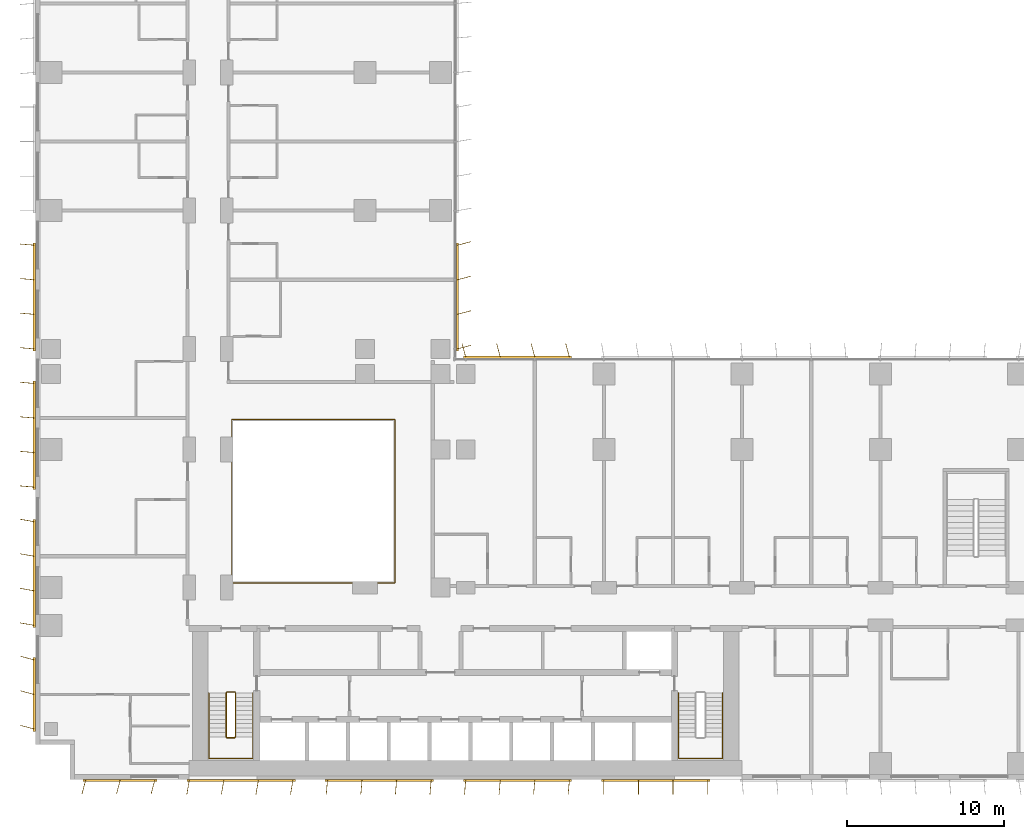
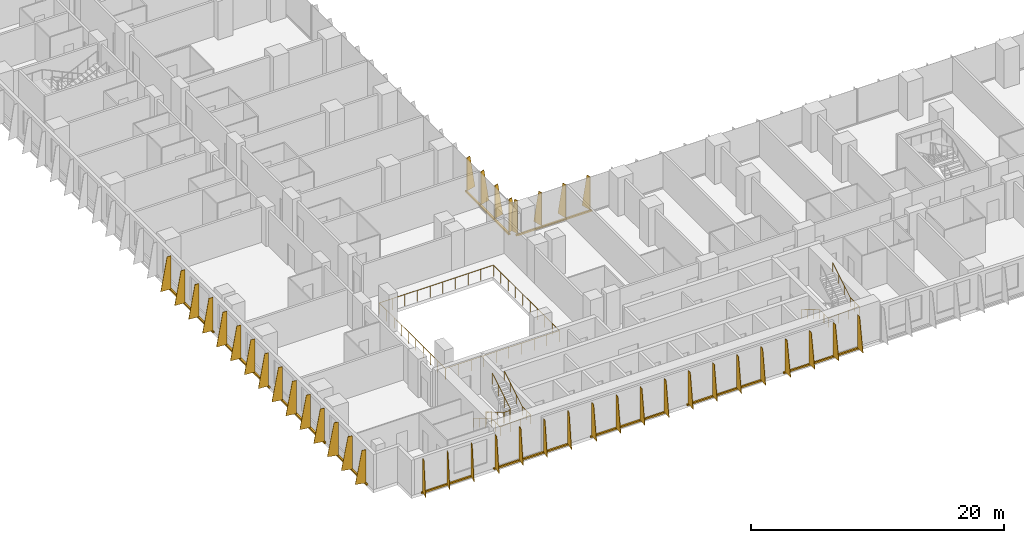
# One storey, part 21 of 24: 11 shading devices, 4 railings.
"""IFC4 building model written with IfcOpenShell, lengths in metres."""

from ifc_helpers import new_model, si_unit, direction, frame, origin, origin_2d, place, context, subcontext, project, spatial, polyline, rectangle, circle, outline, extrude, source, transform, mapped, material, layer, layer_set, type_object, element, save


model = new_model("IFC4")

# Units and contexts
model_context = context("Model", 3, precision=1e-05, world=origin(), true_north=direction((0.0, 1.0)))
body_context = subcontext(model_context, "Body", "Model", "MODEL_VIEW")
ifc_project = project(units=[si_unit("LENGTHUNIT", "METRE"), si_unit("AREAUNIT", "SQUARE_METRE"), si_unit("VOLUMEUNIT", "CUBIC_METRE"), si_unit("PLANEANGLEUNIT", "RADIAN"), si_unit("MASSUNIT", "GRAM", prefix="KILO")], contexts=[model_context])

# Site, building, storey
site_placement = place(None, origin())
site = spatial("IfcSite", under=ifc_project, at=site_placement, CompositionType="ELEMENT")
building_placement = place(site_placement, origin())
building = spatial("IfcBuilding", under=site, at=building_placement, Name="Kemantara Hotel Tower", CompositionType="ELEMENT")
storey_placement = place(building_placement, frame((0.0, 0.0, 37.699951171875)))
storey = spatial("IfcBuildingStorey", under=building, at=storey_placement, Name="L07", CompositionType="ELEMENT", Elevation=37.699951171875)

# Railings
ifc_material_1 = material(Name="Stainless steel and laminated glass balustrade", Category="steel")
railing_type_1 = type_object("IfcRailingType", Name="ATRIUM GUARD 1100", PredefinedType="GUARDRAIL", material=ifc_material_1)
railing_1_placement = place(storey_placement, frame((12.56005859375, 12.5, 0.0)))
element("IfcRailing", 1, at=railing_1_placement, inside=storey, type_object=railing_type_1, Name="ATRIUM GUARD L07", PredefinedType="GUARDRAIL", context=body_context, shape_type="SweptSolid", body=[
    extrude(circle(Radius=0.02490234375, at=origin_2d()), frame((0.0, 0.0, 1.0751953125), z_axis=(1.0, 0.0, 0.0), x_axis=(0.0, 1.0, 0.0)), (0.0, 0.0, 1.0), 10.33984375),
    extrude(circle(Radius=0.02490234375, at=origin_2d()), frame((10.33984375, 0.0, 1.0751953125), z_axis=(0.0, 1.0, 0.0), x_axis=(-1.0, 0.0, 0.0)), (0.0, 0.0, 1.0), 10.39990234375),
    extrude(circle(Radius=0.02490234375, at=origin_2d()), frame((10.33984375, 10.39990234375, 1.0751953125), z_axis=(-1.0, 0.0, 0.0), x_axis=(0.0, -1.0, 0.0)), (0.0, 0.0, 1.0), 10.39990234375),
    extrude(circle(Radius=0.02490234375, at=origin_2d()), frame((-0.06005859375, 10.39990234375, 1.0751953125), z_axis=(0.0, -1.0, 0.0), x_axis=(1.0, 0.0, 0.0)), (0.0, 0.0, 1.0), 10.39990234375),
    extrude(circle(Radius=0.02001953125, at=origin_2d()), origin(), (0.0, 0.0, 1.0), 1.050048828125),
    extrude(circle(Radius=0.02001953125, at=origin_2d()), frame((1.14892578125, 0.0, 0.0)), (0.0, 0.0, 1.0), 1.050048828125),
    extrude(circle(Radius=0.02001953125, at=origin_2d()), frame((2.2978515625, 0.0, 0.0)), (0.0, 0.0, 1.0), 1.050048828125),
    extrude(circle(Radius=0.02001953125, at=origin_2d()), frame((3.446533203125, 0.0, 0.0)), (0.0, 0.0, 1.0), 1.050048828125),
    extrude(circle(Radius=0.02001953125, at=origin_2d()), frame((4.595458984375, 0.0, 0.0)), (0.0, 0.0, 1.0), 1.050048828125),
    extrude(circle(Radius=0.02001953125, at=origin_2d()), frame((5.744384765625, 0.0, 0.0)), (0.0, 0.0, 1.0), 1.050048828125),
    extrude(circle(Radius=0.02001953125, at=origin_2d()), frame((6.893310546875, 0.0, 0.0)), (0.0, 0.0, 1.0), 1.050048828125),
    extrude(circle(Radius=0.02001953125, at=origin_2d()), frame((8.0419921875, 0.0, 0.0)), (0.0, 0.0, 1.0), 1.050048828125),
    extrude(circle(Radius=0.02001953125, at=origin_2d()), frame((9.19091796875, 0.0, 0.0)), (0.0, 0.0, 1.0), 1.050048828125),
    extrude(circle(Radius=0.02001953125, at=origin_2d()), frame((10.33984375, 0.0, 0.0)), (0.0, 0.0, 1.0), 1.050048828125),
    extrude(circle(Radius=0.02001953125, at=origin_2d()), frame((10.33984375, 1.155517578125, 0.0)), (0.0, 0.0, 1.0), 1.050048828125),
    extrude(circle(Radius=0.02001953125, at=origin_2d()), frame((10.33984375, 2.31103515625, 0.0)), (0.0, 0.0, 1.0), 1.050048828125),
    extrude(circle(Radius=0.02001953125, at=origin_2d()), frame((10.33984375, 3.466552734375, 0.0)), (0.0, 0.0, 1.0), 1.050048828125),
    extrude(circle(Radius=0.02001953125, at=origin_2d()), frame((10.33984375, 4.6220703125, 0.0)), (0.0, 0.0, 1.0), 1.050048828125),
    extrude(circle(Radius=0.02001953125, at=origin_2d()), frame((10.33984375, 5.77783203125, 0.0)), (0.0, 0.0, 1.0), 1.050048828125),
    extrude(circle(Radius=0.02001953125, at=origin_2d()), frame((10.33984375, 6.933349609375, 0.0)), (0.0, 0.0, 1.0), 1.050048828125),
    extrude(circle(Radius=0.02001953125, at=origin_2d()), frame((10.33984375, 8.0888671875, 0.0)), (0.0, 0.0, 1.0), 1.050048828125),
    extrude(circle(Radius=0.02001953125, at=origin_2d()), frame((10.33984375, 9.244384765625, 0.0)), (0.0, 0.0, 1.0), 1.050048828125),
    extrude(circle(Radius=0.02001953125, at=origin_2d()), frame((10.33984375, 10.39990234375, 0.0)), (0.0, 0.0, 1.0), 1.050048828125),
    extrude(circle(Radius=0.02001953125, at=origin_2d()), frame((9.184326171875, 10.39990234375, 0.0)), (0.0, 0.0, 1.0), 1.050048828125),
    extrude(circle(Radius=0.02001953125, at=origin_2d()), frame((8.02880859375, 10.39990234375, 0.0)), (0.0, 0.0, 1.0), 1.050048828125),
    extrude(circle(Radius=0.02001953125, at=origin_2d()), frame((6.873291015625, 10.39990234375, 0.0)), (0.0, 0.0, 1.0), 1.050048828125),
    extrude(circle(Radius=0.02001953125, at=origin_2d()), frame((5.7177734375, 10.39990234375, 0.0)), (0.0, 0.0, 1.0), 1.050048828125),
    extrude(circle(Radius=0.02001953125, at=origin_2d()), frame((4.56201171875, 10.39990234375, 0.0)), (0.0, 0.0, 1.0), 1.050048828125),
    extrude(circle(Radius=0.02001953125, at=origin_2d()), frame((3.406494140625, 10.39990234375, 0.0)), (0.0, 0.0, 1.0), 1.050048828125),
    extrude(circle(Radius=0.02001953125, at=origin_2d()), frame((2.2509765625, 10.39990234375, 0.0)), (0.0, 0.0, 1.0), 1.050048828125),
    extrude(circle(Radius=0.02001953125, at=origin_2d()), frame((1.095458984375, 10.39990234375, 0.0)), (0.0, 0.0, 1.0), 1.050048828125),
    extrude(circle(Radius=0.02001953125, at=origin_2d()), frame((-0.06005859375, 10.39990234375, 0.0)), (0.0, 0.0, 1.0), 1.050048828125),
    extrude(circle(Radius=0.02001953125, at=origin_2d()), frame((-0.06005859375, 9.244384765625, 0.0)), (0.0, 0.0, 1.0), 1.050048828125),
    extrude(circle(Radius=0.02001953125, at=origin_2d()), frame((-0.06005859375, 8.0888671875, 0.0)), (0.0, 0.0, 1.0), 1.050048828125),
    extrude(circle(Radius=0.02001953125, at=origin_2d()), frame((-0.06005859375, 6.933349609375, 0.0)), (0.0, 0.0, 1.0), 1.050048828125),
    extrude(circle(Radius=0.02001953125, at=origin_2d()), frame((-0.06005859375, 5.77783203125, 0.0)), (0.0, 0.0, 1.0), 1.050048828125),
    extrude(circle(Radius=0.02001953125, at=origin_2d()), frame((-0.06005859375, 4.6220703125, 0.0)), (0.0, 0.0, 1.0), 1.050048828125),
    extrude(circle(Radius=0.02001953125, at=origin_2d()), frame((-0.06005859375, 3.466552734375, 0.0)), (0.0, 0.0, 1.0), 1.050048828125),
    extrude(circle(Radius=0.02001953125, at=origin_2d()), frame((-0.06005859375, 2.31103515625, 0.0)), (0.0, 0.0, 1.0), 1.050048828125),
    extrude(circle(Radius=0.02001953125, at=origin_2d()), frame((-0.06005859375, 1.155517578125, 0.0)), (0.0, 0.0, 1.0), 1.050048828125),
    extrude(circle(Radius=0.02001953125, at=origin_2d()), frame((-0.06005859375, 0.0, 0.0)), (0.0, 0.0, 1.0), 1.050048828125),
])
ifc_material_2 = material(Name="Stainless steel balustrade", Category="steel")
railing_type_2 = type_object("IfcRailingType", Name="Stair guard 1100 mm", PredefinedType="GUARDRAIL", material=ifc_material_2)
railing_2_placement = place(storey_placement, frame((12.75, 5.5, 3.699951171875)))
element("IfcRailing", 2, at=railing_2_placement, inside=storey, type_object=railing_type_2, Name="L07 ST1 stair guard 1", PredefinedType="GUARDRAIL", context=body_context, shape_type="SweptSolid", body=[
    extrude(circle(Radius=0.02392578125, at=origin_2d()), frame((0.0, 0.0, 1.076171875), z_axis=(0.0, -0.857275202839, -0.514858452973), x_axis=(1.0, 0.0, 0.0)), (0.0, 0.0, 1.0), 3.26611328125),
    extrude(circle(Radius=0.02392578125, at=origin_2d()), frame((0.0, -2.800048828125, -0.60546875), z_axis=(-0.274243871929, -0.274243871929, -0.92172696468), x_axis=(0.707106781187, -0.707106781187, 0.0)), (0.0, 0.0, 1.0), 0.1826171875),
    extrude(circle(Radius=0.02392578125, at=origin_2d()), frame((-0.050048828125, -2.85009765625, -0.77392578125), z_axis=(-1.0, 0.0, 0.0), x_axis=(0.0, -1.0, 0.0)), (0.0, 0.0, 1.0), 0.5),
    extrude(circle(Radius=0.02392578125, at=origin_2d()), frame((-0.550048828125, -2.85009765625, -0.77392578125), z_axis=(-0.707106781187, 0.707106781187, 0.0), x_axis=(-0.707106781187, -0.707106781187, 0.0)), (0.0, 0.0, 1.0), 0.07080078125),
    extrude(circle(Radius=0.02392578125, at=origin_2d()), frame((-0.60009765625, -2.800048828125, -0.77392578125), z_axis=(0.0, 0.857242210791, -0.514913383045), x_axis=(-1.0, 0.0, 0.0)), (0.0, 0.0, 1.0), 3.266357421875),
    extrude(circle(Radius=0.02392578125, at=origin_2d()), frame((-0.60009765625, 0.0, -2.45556640625), z_axis=(0.274243871929, 0.274243871929, -0.92172696468), x_axis=(-0.707106781187, 0.707106781187, 0.0)), (0.0, 0.0, 1.0), 0.1826171875),
    extrude(circle(Radius=0.02392578125, at=origin_2d()), frame((-0.550048828125, 0.050048828125, -2.6240234375), z_axis=(1.0, 0.0, 0.0), x_axis=(0.0, 1.0, 0.0)), (0.0, 0.0, 1.0), 0.5),
    extrude(circle(Radius=0.02099609375, at=origin_2d()), origin(), (0.0, 0.0, 1.0), 1.052001953125),
    extrude(circle(Radius=0.02099609375, at=origin_2d()), frame((0.0, -0.933349609375, -0.560546875)), (0.0, 0.0, 1.0), 1.052001953125),
    extrude(circle(Radius=0.02099609375, at=origin_2d()), frame((0.0, -1.86669921875, -1.12109375)), (0.0, 0.0, 1.0), 1.052001953125),
    extrude(circle(Radius=0.02099609375, at=origin_2d()), frame((0.0, -2.800048828125, -1.681640625)), (0.0, 0.0, 1.0), 1.052001953125),
    extrude(circle(Radius=0.02099609375, at=origin_2d()), frame((-0.050048828125, -2.85009765625, -1.849853515625)), (0.0, 0.0, 1.0), 1.052001953125),
    extrude(circle(Radius=0.02099609375, at=origin_2d()), frame((-0.550048828125, -2.85009765625, -1.849853515625)), (0.0, 0.0, 1.0), 1.052001953125),
    extrude(circle(Radius=0.02099609375, at=origin_2d()), frame((-0.60009765625, -2.800048828125, -1.849853515625)), (0.0, 0.0, 1.0), 1.052001953125),
    extrude(circle(Radius=0.02099609375, at=origin_2d()), frame((-0.60009765625, -1.86669921875, -2.410400390625)), (0.0, 0.0, 1.0), 1.052001953125),
    extrude(circle(Radius=0.02099609375, at=origin_2d()), frame((-0.60009765625, -0.933349609375, -2.97119140625)), (0.0, 0.0, 1.0), 1.052001953125),
    extrude(circle(Radius=0.02099609375, at=origin_2d()), frame((-0.60009765625, 0.0, -3.53173828125)), (0.0, 0.0, 1.0), 1.052001953125),
    extrude(circle(Radius=0.02099609375, at=origin_2d()), frame((-0.550048828125, 0.050048828125, -3.699951171875)), (0.0, 0.0, 1.0), 1.052001953125),
    extrude(circle(Radius=0.02099609375, at=origin_2d()), frame((-0.050048828125, 0.050048828125, -3.699951171875)), (0.0, 0.0, 1.0), 1.052001953125),
])
railing_type_3 = type_object("IfcRailingType", Name="Stair handrail 900 mm", PredefinedType="HANDRAIL", material=ifc_material_2)
railing_3_placement = place(storey_placement, frame((11.050048828125, 5.5, 0.168212890625)))
element("IfcRailing", 3, at=railing_3_placement, inside=storey, type_object=railing_type_3, Name="L07 ST1 stair handrail 1", PredefinedType="HANDRAIL", context=body_context, shape_type="SweptSolid", body=[
    extrude(circle(Radius=0.02392578125, at=origin_2d()), frame((0.0, 0.0, 0.8759765625), z_axis=(0.0, -0.857242210791, 0.514913383045), x_axis=(1.0, 0.0, 0.0)), (0.0, 0.0, 1.0), 3.266357421875),
    extrude(circle(Radius=0.02392578125, at=origin_2d()), frame((0.0, -2.800048828125, 2.5576171875), z_axis=(0.0, -1.0, 0.0), x_axis=(1.0, 0.0, 0.0)), (0.0, 0.0, 1.0), 1.3798828125),
    extrude(circle(Radius=0.02392578125, at=origin_2d()), frame((0.0, -4.179931640625, 2.5576171875), z_axis=(0.998200367801, 0.0, 0.059966871865), x_axis=(0.0, 1.0, 0.0)), (0.0, 0.0, 1.0), 2.80517578125),
    extrude(circle(Radius=0.02392578125, at=origin_2d()), frame((2.800048828125, -4.179931640625, 2.72607421875), z_axis=(0.0, 1.0, 0.0), x_axis=(-1.0, 0.0, 0.0)), (0.0, 0.0, 1.0), 1.3798828125),
    extrude(circle(Radius=0.02392578125, at=origin_2d()), frame((2.800048828125, -2.800048828125, 2.72607421875), z_axis=(0.0, 0.857275202839, 0.514858452973), x_axis=(-1.0, 0.0, 0.0)), (0.0, 0.0, 1.0), 3.26611328125),
    extrude(circle(Radius=0.02099609375, at=origin_2d()), origin(), (0.0, 0.0, 1.0), 0.851806640625),
    extrude(circle(Radius=0.02099609375, at=origin_2d()), frame((0.0, -0.933349609375, 0.560546875)), (0.0, 0.0, 1.0), 0.851806640625),
    extrude(circle(Radius=0.02099609375, at=origin_2d()), frame((0.0, -1.86669921875, 1.121337890625)), (0.0, 0.0, 1.0), 0.851806640625),
    extrude(circle(Radius=0.02099609375, at=origin_2d()), frame((0.0, -2.800048828125, 1.681884765625)), (0.0, 0.0, 1.0), 0.851806640625),
    extrude(circle(Radius=0.02099609375, at=origin_2d()), frame((0.0, -3.489990234375, 1.681884765625)), (0.0, 0.0, 1.0), 0.851806640625),
    extrude(circle(Radius=0.02099609375, at=origin_2d()), frame((0.0, -4.179931640625, 1.681884765625)), (0.0, 0.0, 1.0), 0.851806640625),
    extrude(circle(Radius=0.02099609375, at=origin_2d()), frame((0.933349609375, -4.179931640625, 1.738037109375)), (0.0, 0.0, 1.0), 0.851806640625),
    extrude(circle(Radius=0.02099609375, at=origin_2d()), frame((1.86669921875, -4.179931640625, 1.7939453125)), (0.0, 0.0, 1.0), 0.851806640625),
    extrude(circle(Radius=0.02099609375, at=origin_2d()), frame((2.800048828125, -4.179931640625, 1.85009765625)), (0.0, 0.0, 1.0), 0.851806640625),
    extrude(circle(Radius=0.02099609375, at=origin_2d()), frame((2.800048828125, -3.489990234375, 1.85009765625)), (0.0, 0.0, 1.0), 0.851806640625),
    extrude(circle(Radius=0.02099609375, at=origin_2d()), frame((2.800048828125, -2.800048828125, 1.85009765625)), (0.0, 0.0, 1.0), 0.851806640625),
    extrude(circle(Radius=0.02099609375, at=origin_2d()), frame((2.800048828125, -1.86669921875, 2.41064453125)), (0.0, 0.0, 1.0), 0.851806640625),
    extrude(circle(Radius=0.02099609375, at=origin_2d()), frame((2.800048828125, -0.933349609375, 2.97119140625)), (0.0, 0.0, 1.0), 0.851806640625),
    extrude(circle(Radius=0.02099609375, at=origin_2d()), frame((2.800048828125, 0.0, 3.53173828125)), (0.0, 0.0, 1.0), 0.851806640625),
])
railing_4_placement = place(storey_placement, frame((40.949951171875, 5.5, 0.168212890625)))
element("IfcRailing", 4, at=railing_4_placement, inside=storey, type_object=railing_type_3, Name="L07 ST2 stair handrail 1", PredefinedType="HANDRAIL", context=body_context, shape_type="SweptSolid", body=[
    extrude(circle(Radius=0.02392578125, at=origin_2d()), frame((0.0, 0.0, 0.8759765625), z_axis=(0.0, -0.857242210791, 0.514913383045), x_axis=(1.0, 0.0, 0.0)), (0.0, 0.0, 1.0), 3.266357421875),
    extrude(circle(Radius=0.02392578125, at=origin_2d()), frame((0.0, -2.800048828125, 2.5576171875), z_axis=(0.0, -1.0, 0.0), x_axis=(1.0, 0.0, 0.0)), (0.0, 0.0, 1.0), 1.3798828125),
    extrude(circle(Radius=0.02392578125, at=origin_2d()), frame((0.0, -4.179931640625, 2.5576171875), z_axis=(0.998200367801, 0.0, 0.059966871865), x_axis=(0.0, 1.0, 0.0)), (0.0, 0.0, 1.0), 2.80517578125),
    extrude(circle(Radius=0.02392578125, at=origin_2d()), frame((2.800048828125, -4.179931640625, 2.72607421875), z_axis=(0.0, 1.0, 0.0), x_axis=(-1.0, 0.0, 0.0)), (0.0, 0.0, 1.0), 1.3798828125),
    extrude(circle(Radius=0.02392578125, at=origin_2d()), frame((2.800048828125, -2.800048828125, 2.72607421875), z_axis=(0.0, 0.857275202839, 0.514858452973), x_axis=(-1.0, 0.0, 0.0)), (0.0, 0.0, 1.0), 3.26611328125),
    extrude(circle(Radius=0.02099609375, at=origin_2d()), origin(), (0.0, 0.0, 1.0), 0.851806640625),
    extrude(circle(Radius=0.02099609375, at=origin_2d()), frame((0.0, -0.933349609375, 0.560546875)), (0.0, 0.0, 1.0), 0.851806640625),
    extrude(circle(Radius=0.02099609375, at=origin_2d()), frame((0.0, -1.86669921875, 1.121337890625)), (0.0, 0.0, 1.0), 0.851806640625),
    extrude(circle(Radius=0.02099609375, at=origin_2d()), frame((0.0, -2.800048828125, 1.681884765625)), (0.0, 0.0, 1.0), 0.851806640625),
    extrude(circle(Radius=0.02099609375, at=origin_2d()), frame((0.0, -3.489990234375, 1.681884765625)), (0.0, 0.0, 1.0), 0.851806640625),
    extrude(circle(Radius=0.02099609375, at=origin_2d()), frame((0.0, -4.179931640625, 1.681884765625)), (0.0, 0.0, 1.0), 0.851806640625),
    extrude(circle(Radius=0.02099609375, at=origin_2d()), frame((0.933349609375, -4.179931640625, 1.738037109375)), (0.0, 0.0, 1.0), 0.851806640625),
    extrude(circle(Radius=0.02099609375, at=origin_2d()), frame((1.86669921875, -4.179931640625, 1.7939453125)), (0.0, 0.0, 1.0), 0.851806640625),
    extrude(circle(Radius=0.02099609375, at=origin_2d()), frame((2.800048828125, -4.179931640625, 1.85009765625)), (0.0, 0.0, 1.0), 0.851806640625),
    extrude(circle(Radius=0.02099609375, at=origin_2d()), frame((2.800048828125, -3.489990234375, 1.85009765625)), (0.0, 0.0, 1.0), 0.851806640625),
    extrude(circle(Radius=0.02099609375, at=origin_2d()), frame((2.800048828125, -2.800048828125, 1.85009765625)), (0.0, 0.0, 1.0), 0.851806640625),
    extrude(circle(Radius=0.02099609375, at=origin_2d()), frame((2.800048828125, -1.86669921875, 2.41064453125)), (0.0, 0.0, 1.0), 0.851806640625),
    extrude(circle(Radius=0.02099609375, at=origin_2d()), frame((2.800048828125, -0.933349609375, 2.97119140625)), (0.0, 0.0, 1.0), 0.851806640625),
    extrude(circle(Radius=0.02099609375, at=origin_2d()), frame((2.800048828125, 0.0, 3.53173828125)), (0.0, 0.0, 1.0), 0.851806640625),
])

# Shading devices
ifc_material_3 = material(Name="Perforated aluminium plate 4 mm bronze anodised", Category="aluminium")
ifc_layer_1 = layer(ifc_material_3, 0.0400390625)
ifc_layer_set_1 = layer_set([ifc_layer_1], Name="Perforated aluminium plate 4 mm bronze anodised")
shading_device_type_1 = type_object("IfcShadingDeviceType", Name="SCREEN FIN CASSETTE, 3 BLADES AT -15.0 DEG, 3200 HIGH", PredefinedType="USERDEFINED", material=ifc_layer_set_1)
shared_shape_1 = source(origin(), body_context, "Body", "SweptSolid", [
    extrude(rectangle(XDim=4.699951171875, YDim=0.14990234375, at=origin_2d()), frame((2.199951171875, -0.074951171875, -0.14990234375), z_axis=(0.0, 0.0, 1.0), x_axis=(1.0, 0.0, 0.0)), (0.0, 0.0, 1.0), 0.14990234375),
    extrude(outline(polyline([(0.0, 0.0), (0.89990234375, 0.0), (0.35009765625, 3.199951171875), (0.0, 3.199951171875), (0.0, 0.0)])), frame((0.019287109375, -0.080078125, 0.0), z_axis=(-0.966437683387, 0.256901156343, 0.0), x_axis=(-0.256901156343, -0.966437683387, 0.0)), (0.0, 0.0, 1.0), 0.039794921875),
    extrude(outline(polyline([(0.0, 0.0), (0.89990234375, 0.0), (0.35009765625, 3.199951171875), (0.0, 3.199951171875), (0.0, 0.0)])), frame((2.21923828125, -0.080078125, 0.0), z_axis=(-0.966437683387, 0.256901156343, 0.0), x_axis=(-0.256901156343, -0.966437683387, 0.0)), (0.0, 0.0, 1.0), 0.039794921875),
    extrude(outline(polyline([(0.0, 0.0), (0.89990234375, 0.0), (0.35009765625, 3.199951171875), (0.0, 3.199951171875), (0.0, 0.0)])), frame((4.41943359375, -0.080078125, 0.0), z_axis=(-0.966837822169, 0.255391122837, 0.0), x_axis=(-0.255391122837, -0.966837822169, 0.0)), (0.0, 0.0, 1.0), 0.0400390625),
])
for number, where, z_axis, x_axis, name in (
    (5, (3.199951171875, 0.0, 0.10009765625), (0.0, 0.0, 1.0), (1.0, 0.0, 0.0), "SCREEN FIN CASSETTE L07 T1-R01-1"),
    (6, (0.0, 7.60009765625, 0.10009765625), (0.0, 0.0, 1.0), (0.0, -1.0, 0.0), "SCREEN FIN CASSETTE L07 T1-R14-9"),
):
    element("IfcShadingDevice", number, at=place(storey_placement, frame(where, z_axis=z_axis, x_axis=x_axis)), inside=storey, type_object=shading_device_type_1, Name=name, ObjectType="SCREEN FIN", PredefinedType="USERDEFINED", context=body_context, shape_type="MappedRepresentation", body=[
        mapped(shared_shape_1, transform((0.0, 0.0, 0.0))),
    ])
ifc_layer_2 = layer(ifc_material_3, 0.0400390625)
ifc_layer_set_2 = layer_set([ifc_layer_2], Name="Perforated aluminium plate 4 mm bronze anodised")
shading_device_type_2 = type_object("IfcShadingDeviceType", Name="SCREEN FIN CASSETTE, 4 BLADES AT -10.0 DEG, 3200 HIGH", PredefinedType="USERDEFINED", material=ifc_layer_set_2)
shared_shape_2 = source(origin(), body_context, "Body", "SweptSolid", [
    extrude(rectangle(XDim=6.89990234375, YDim=0.14990234375, at=origin_2d()), frame((3.300048828125, -0.074951171875, -0.14990234375), z_axis=(0.0, 0.0, 1.0), x_axis=(1.0, 0.0, 0.0)), (0.0, 0.0, 1.0), 0.14990234375),
    extrude(outline(polyline([(0.0, 0.0), (0.89990234375, 0.0), (0.35009765625, 3.199951171875), (0.0, 3.199951171875), (0.0, 0.0)])), frame((0.019775390625, -0.078369140625, 0.0), z_axis=(-0.985389793052, 0.170314285219, 0.0), x_axis=(-0.170314285219, -0.985389793052, 0.0)), (0.0, 0.0, 1.0), 0.0400390625),
    extrude(outline(polyline([(0.0, 0.0), (0.89990234375, 0.0), (0.35009765625, 3.199951171875), (0.0, 3.199951171875), (0.0, 0.0)])), frame((2.2197265625, -0.078369140625, 0.0), z_axis=(-0.98521175482, 0.171341174751, 0.0), x_axis=(-0.171341174751, -0.98521175482, 0.0)), (0.0, 0.0, 1.0), 0.039794921875),
    extrude(outline(polyline([(0.0, 0.0), (0.89990234375, 0.0), (0.35009765625, 3.199951171875), (0.0, 3.199951171875), (0.0, 0.0)])), frame((4.419677734375, -0.078369140625, 0.0), z_axis=(-0.98521175482, 0.171341174751, 0.0), x_axis=(-0.171341174751, -0.98521175482, 0.0)), (0.0, 0.0, 1.0), 0.039794921875),
    extrude(outline(polyline([(0.0, 0.0), (0.89990234375, 0.0), (0.35009765625, 3.199951171875), (0.0, 3.199951171875), (0.0, 0.0)])), frame((6.61962890625, -0.078369140625, 0.0), z_axis=(-0.98521175482, 0.171341174751, 0.0), x_axis=(-0.171341174751, -0.98521175482, 0.0)), (0.0, 0.0, 1.0), 0.039794921875),
])
for number, where, z_axis, x_axis, name in (
    (7, (9.800048828125, 0.0, 0.10009765625), (0.0, 0.0, 1.0), (1.0, 0.0, 0.0), "SCREEN FIN CASSETTE L07 T1-R01-2"),
    (8, (0.0, 16.39990234375, 0.10009765625), (0.0, 0.0, 1.0), (0.0, -1.0, 0.0), "SCREEN FIN CASSETTE L07 T1-R14-8"),
):
    element("IfcShadingDevice", number, at=place(storey_placement, frame(where, z_axis=z_axis, x_axis=x_axis)), inside=storey, type_object=shading_device_type_2, Name=name, ObjectType="SCREEN FIN", PredefinedType="USERDEFINED", context=body_context, shape_type="MappedRepresentation", body=[
        mapped(shared_shape_2, transform((0.0, 0.0, 0.0))),
    ])
ifc_layer_3 = layer(ifc_material_3, 0.0400390625)
ifc_layer_set_3 = layer_set([ifc_layer_3], Name="Perforated aluminium plate 4 mm bronze anodised")
shading_device_type_3 = type_object("IfcShadingDeviceType", Name="SCREEN FIN CASSETTE, 4 BLADES AT -5.0 DEG, 3200 HIGH", PredefinedType="USERDEFINED", material=ifc_layer_set_3)
shared_shape_3 = source(origin(), body_context, "Body", "SweptSolid", [
    extrude(rectangle(XDim=6.89990234375, YDim=0.14990234375, at=origin_2d()), frame((3.300048828125, -0.074951171875, -0.14990234375), z_axis=(0.0, 0.0, 1.0), x_axis=(1.0, 0.0, 0.0)), (0.0, 0.0, 1.0), 0.14990234375),
    extrude(outline(polyline([(0.0, 0.0), (0.89990234375, 0.0), (0.35009765625, 3.199951171875), (0.0, 3.199951171875), (0.0, 0.0)])), frame((0.02001953125, -0.07666015625, 0.0), z_axis=(-0.996376129781, 0.085056498884, 0.0), x_axis=(-0.085056498884, -0.996376129781, 0.0)), (0.0, 0.0, 1.0), 0.040283203125),
    extrude(outline(polyline([(0.0, 0.0), (0.89990234375, 0.0), (0.35009765625, 3.199951171875), (0.0, 3.199951171875), (0.0, 0.0)])), frame((2.219970703125, -0.07666015625, 0.0), z_axis=(-0.996331773833, 0.085574508182, 0.0), x_axis=(-0.085574508182, -0.996331773833, 0.0)), (0.0, 0.0, 1.0), 0.0400390625),
    extrude(outline(polyline([(0.0, 0.0), (0.89990234375, 0.0), (0.35009765625, 3.199951171875), (0.0, 3.199951171875), (0.0, 0.0)])), frame((4.419921875, -0.07666015625, 0.0), z_axis=(-0.996331773833, 0.085574508182, 0.0), x_axis=(-0.085574508182, -0.996331773833, 0.0)), (0.0, 0.0, 1.0), 0.0400390625),
    extrude(outline(polyline([(0.0, 0.0), (0.89990234375, 0.0), (0.35009765625, 3.199951171875), (0.0, 3.199951171875), (0.0, 0.0)])), frame((6.619873046875, -0.07666015625, 0.0), z_axis=(-0.996331773833, 0.085574508182, 0.0), x_axis=(-0.085574508182, -0.996331773833, 0.0)), (0.0, 0.0, 1.0), 0.0400390625),
])
for number, where, z_axis, x_axis, name in (
    (9, (18.60009765625, 0.0, 0.10009765625), (0.0, 0.0, 1.0), (1.0, 0.0, 0.0), "SCREEN FIN CASSETTE L07 T1-R01-3"),
    (10, (27.39990234375, 0.0, 0.10009765625), (0.0, 0.0, 1.0), (1.0, 0.0, 0.0), "SCREEN FIN CASSETTE L07 T1-R01-4"),
    (11, (0.0, 34.0, 0.10009765625), (0.0, 0.0, 1.0), (0.0, -1.0, 0.0), "SCREEN FIN CASSETTE L07 T1-R14-6"),
    (12, (0.0, 25.199951171875, 0.10009765625), (0.0, 0.0, 1.0), (0.0, -1.0, 0.0), "SCREEN FIN CASSETTE L07 T1-R14-7"),
):
    element("IfcShadingDevice", number, at=place(storey_placement, frame(where, z_axis=z_axis, x_axis=x_axis)), inside=storey, type_object=shading_device_type_3, Name=name, ObjectType="SCREEN FIN", PredefinedType="USERDEFINED", context=body_context, shape_type="MappedRepresentation", body=[
        mapped(shared_shape_3, transform((0.0, 0.0, 0.0))),
    ])
ifc_layer_4 = layer(ifc_material_3, 0.0400390625)
ifc_layer_set_4 = layer_set([ifc_layer_4], Name="Perforated aluminium plate 4 mm bronze anodised")
shading_device_type_4 = type_object("IfcShadingDeviceType", Name="SCREEN FIN CASSETTE, 4 BLADES AT +0.0 DEG, 3200 HIGH", PredefinedType="USERDEFINED", material=ifc_layer_set_4)
shared_shape_4 = source(origin(), body_context, "Body", "SweptSolid", [
    extrude(rectangle(XDim=6.89990234375, YDim=0.14990234375, at=origin_2d()), frame((3.300048828125, -0.074951171875, -0.14990234375), z_axis=(0.0, 0.0, 1.0), x_axis=(1.0, 0.0, 0.0)), (0.0, 0.0, 1.0), 0.14990234375),
    extrude(outline(polyline([(0.0, 0.0), (0.89990234375, 0.0), (0.35009765625, 3.199951171875), (0.0, 3.199951171875), (0.0, 0.0)])), frame((0.02001953125, -0.074951171875, 0.0), z_axis=(-1.0, 0.0, 0.0), x_axis=(0.0, -1.0, 0.0)), (0.0, 0.0, 1.0), 0.0400390625),
    extrude(outline(polyline([(0.0, 0.0), (0.89990234375, 0.0), (0.35009765625, 3.199951171875), (0.0, 3.199951171875), (0.0, 0.0)])), frame((2.219970703125, -0.074951171875, 0.0), z_axis=(-1.0, 0.0, 0.0), x_axis=(0.0, -1.0, 0.0)), (0.0, 0.0, 1.0), 0.0400390625),
    extrude(outline(polyline([(0.0, 0.0), (0.89990234375, 0.0), (0.35009765625, 3.199951171875), (0.0, 3.199951171875), (0.0, 0.0)])), frame((4.419921875, -0.074951171875, 0.0), z_axis=(-1.0, 0.0, 0.0), x_axis=(0.0, -1.0, 0.0)), (0.0, 0.0, 1.0), 0.0400390625),
    extrude(outline(polyline([(0.0, 0.0), (0.89990234375, 0.0), (0.35009765625, 3.199951171875), (0.0, 3.199951171875), (0.0, 0.0)])), frame((6.6201171875, -0.074951171875, 0.0), z_axis=(-1.0, 0.0, 0.0), x_axis=(0.0, -1.0, 0.0)), (0.0, 0.0, 1.0), 0.0400390625),
])
shading_device_placement = place(storey_placement, frame((36.199951171875, 0.0, 0.10009765625), z_axis=(0.0, 0.0, 1.0), x_axis=(1.0, 0.0, 0.0)))
element("IfcShadingDevice", 13, at=shading_device_placement, inside=storey, type_object=shading_device_type_4, Name="SCREEN FIN CASSETTE L07 T1-R01-5", ObjectType="SCREEN FIN", PredefinedType="USERDEFINED", context=body_context, shape_type="MappedRepresentation", body=[
    mapped(shared_shape_4, transform((0.0, 0.0, 0.0))),
])
ifc_layer_5 = layer(ifc_material_3, 0.0400390625)
ifc_layer_set_5 = layer_set([ifc_layer_5], Name="Perforated aluminium plate 4 mm bronze anodised")
shading_device_type_5 = type_object("IfcShadingDeviceType", Name="SCREEN FIN CASSETTE, 4 BLADES AT +15.0 DEG, 3200 HIGH", PredefinedType="USERDEFINED", material=ifc_layer_set_5)
shared_shape_5 = source(origin(), body_context, "Body", "SweptSolid", [
    extrude(rectangle(XDim=6.89990234375, YDim=0.14990234375, at=origin_2d()), frame((3.300048828125, -0.074951171875, -0.14990234375), z_axis=(0.0, 0.0, 1.0), x_axis=(1.0, 0.0, 0.0)), (0.0, 0.0, 1.0), 0.14990234375),
    extrude(outline(polyline([(0.0, 0.0), (0.89990234375, 0.0), (0.35009765625, 3.199951171875), (0.0, 3.199951171875), (0.0, 0.0)])), frame((0.019287109375, -0.06982421875, 0.0), z_axis=(-0.966437683387, -0.256901156343, 0.0), x_axis=(0.256901156343, -0.966437683387, 0.0)), (0.0, 0.0, 1.0), 0.039794921875),
    extrude(outline(polyline([(0.0, 0.0), (0.89990234375, 0.0), (0.35009765625, 3.199951171875), (0.0, 3.199951171875), (0.0, 0.0)])), frame((2.21923828125, -0.06982421875, 0.0), z_axis=(-0.966437683387, -0.256901156343, 0.0), x_axis=(0.256901156343, -0.966437683387, 0.0)), (0.0, 0.0, 1.0), 0.039794921875),
    extrude(outline(polyline([(0.0, 0.0), (0.89990234375, 0.0), (0.35009765625, 3.199951171875), (0.0, 3.199951171875), (0.0, 0.0)])), frame((4.41943359375, -0.06982421875, 0.0), z_axis=(-0.966837822169, -0.255391122837, 0.0), x_axis=(0.255391122837, -0.966837822169, 0.0)), (0.0, 0.0, 1.0), 0.0400390625),
    extrude(outline(polyline([(0.0, 0.0), (0.89990234375, 0.0), (0.35009765625, 3.199951171875), (0.0, 3.199951171875), (0.0, 0.0)])), frame((6.619384765625, -0.06982421875, 0.0), z_axis=(-0.966837822169, -0.255391122837, 0.0), x_axis=(0.255391122837, -0.966837822169, 0.0)), (0.0, 0.0, 1.0), 0.0400390625),
])
for number, where, z_axis, x_axis, name in (
    (14, (34.0, 26.800048828125, 0.10009765625), (0.0, 0.0, 1.0), (-1.0, 0.0, 0.0), "SCREEN FIN CASSETTE L07 T1-R07-6"),
    (15, (26.800048828125, 27.39990234375, 0.10009765625), (0.0, 0.0, 1.0), (0.0, 1.0, 0.0), "SCREEN FIN CASSETTE L07 T1-R08-1"),
):
    element("IfcShadingDevice", number, at=place(storey_placement, frame(where, z_axis=z_axis, x_axis=x_axis)), inside=storey, type_object=shading_device_type_5, Name=name, ObjectType="SCREEN FIN", PredefinedType="USERDEFINED", context=body_context, shape_type="MappedRepresentation", body=[
        mapped(shared_shape_5, transform((0.0, 0.0, 0.0))),
    ])

save(model, "model.ifc")
